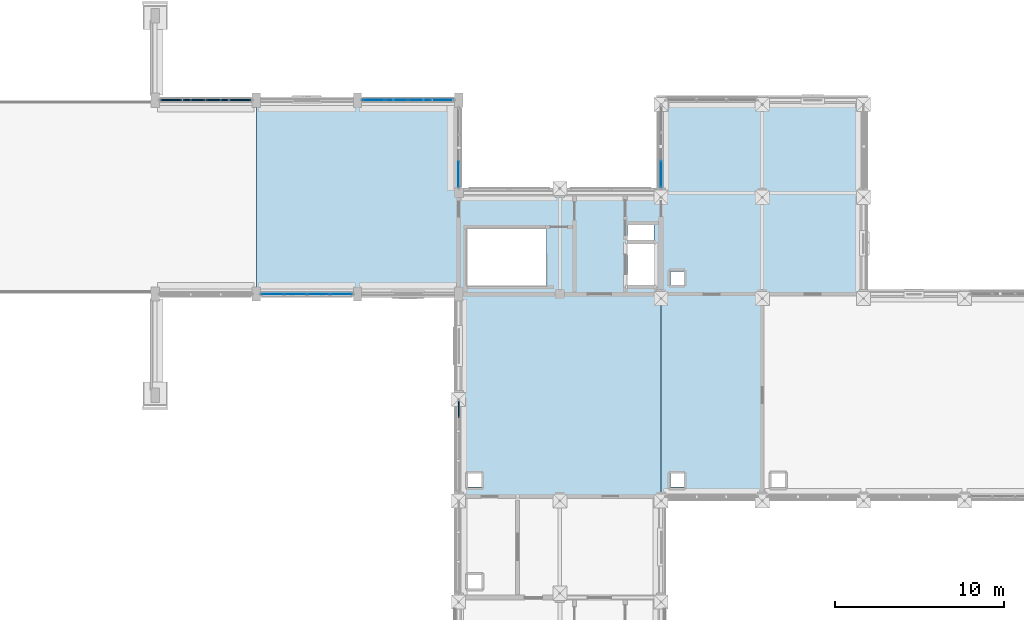
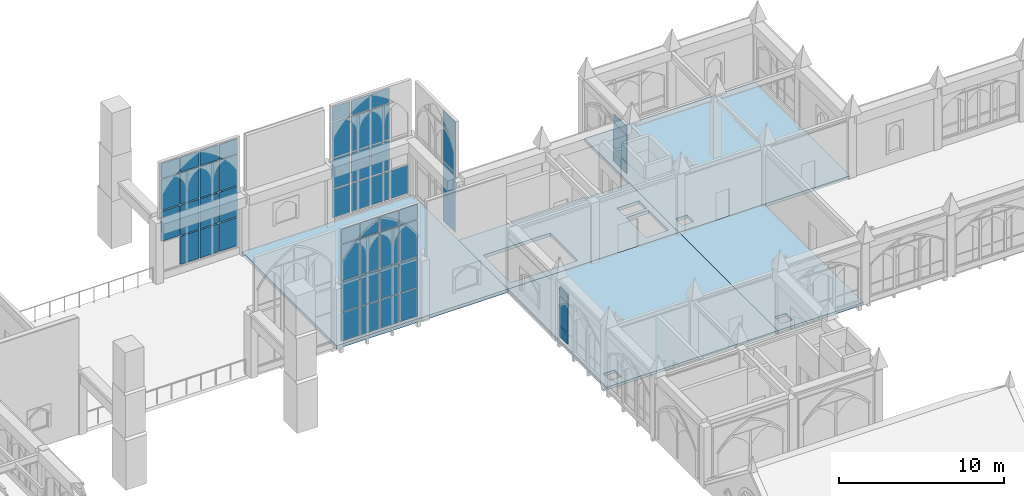
# One storey, part 69 of 108: 54 plates, 5 slabs, 6 elements without a shape of their own.
"""IFC4 building model written with IfcOpenShell, lengths in metres."""

from ifc_helpers import new_model, si_unit, direction, frame, origin, origin_2d, place, context, subcontext, project, spatial, polyline, rectangle, outline, extrude, material, layer, layer_set, type_object, element, aggregate, save


model = new_model("IFC4")

# Units and contexts
model_context = context("Model", 3, precision=1e-05, world=origin(), true_north=direction((0.0, 1.0)))
body_context = subcontext(model_context, "Body", "Model", "MODEL_VIEW")
ifc_project = project(units=[si_unit("LENGTHUNIT", "METRE"), si_unit("AREAUNIT", "SQUARE_METRE"), si_unit("VOLUMEUNIT", "CUBIC_METRE"), si_unit("PLANEANGLEUNIT", "RADIAN"), si_unit("MASSUNIT", "GRAM", prefix="KILO")], contexts=[model_context])

# Site, building, storey
site_placement = place(None, origin())
site = spatial("IfcSite", under=ifc_project, at=site_placement, CompositionType="ELEMENT")
building_placement = place(site_placement, origin())
building = spatial("IfcBuilding", under=site, at=building_placement, Name="Cumevento Cable Car Station", CompositionType="ELEMENT")
storey_placement = place(building_placement, frame((0.0, 0.0, 13.5)))
storey = spatial("IfcBuildingStorey", under=building, at=storey_placement, Name="L04", CompositionType="ELEMENT", Elevation=13.5)

# Slabs
ifc_material_1 = material(Name="Concrete C40/50", Category="concrete")
ifc_layer_1 = layer(ifc_material_1, 0.199951171875)
ifc_layer_set_1 = layer_set([ifc_layer_1], Name="Concrete C40/50")
slab_type_1 = type_object("IfcSlabType", Name="Concrete Deck FS-200 200", PredefinedType="FLOOR", material=ifc_layer_set_1)
slab_1_placement = place(storey_placement, frame((0.0, 0.0, -0.199951171875)))
element("IfcSlab", 1, at=slab_1_placement, inside=storey, type_object=slab_type_1, Name="Floor Slab FS-200 L04 B_V5a.1", PredefinedType="FLOOR", context=body_context, shape_type="SweptSolid", body=[
    extrude(outline(polyline([(118.0, 33.0), (130.0, 33.0), (130.0, 45.0), (118.0, 45.0), (118.0, 33.0)]), holes=[polyline([(118.550048828125, 33.550048828125), (119.35009765625, 33.550048828125), (119.35009765625, 34.35009765625), (118.550048828125, 34.35009765625), (118.550048828125, 33.550048828125)])]), origin(), (0.0, 0.0, 1.0), 0.199951171875),
])
slab_2_placement = place(storey_placement, frame((0.0, 0.0, -0.199951171875)))
element("IfcSlab", 2, at=slab_2_placement, inside=storey, type_object=slab_type_1, Name="Floor Slab FS-200 L04 B_V5a.2", PredefinedType="FLOOR", context=body_context, shape_type="SweptSolid", body=[
    extrude(outline(polyline([(130.0, 33.0), (136.0, 33.0), (136.0, 45.0), (130.0, 45.0), (130.0, 33.0)]), holes=[polyline([(130.550048828125, 33.550048828125), (131.35009765625, 33.550048828125), (131.35009765625, 34.35009765625), (130.550048828125, 34.35009765625), (130.550048828125, 33.550048828125)])]), origin(), (0.0, 0.0, 1.0), 0.199951171875),
])
ifc_material_2 = material(Name="Concrete C40/50", Category="concrete")
ifc_layer_2 = layer(ifc_material_2, 0.22412109375)
ifc_layer_set_2 = layer_set([ifc_layer_2], Name="Concrete C40/50")
slab_type_2 = type_object("IfcSlabType", Name="Concrete Deck FS-224 224", PredefinedType="FLOOR", material=ifc_layer_set_2)
slab_3_placement = place(storey_placement, frame((0.0, 0.0, -0.22412109375)))
element("IfcSlab", 3, at=slab_3_placement, inside=storey, type_object=slab_type_2, Name="Floor Slab FS-224 L04 B_V5c.1", PredefinedType="FLOOR", context=body_context, shape_type="SweptSolid", body=[
    extrude(outline(polyline([(130.0, 45.0), (142.0, 45.0), (142.0, 56.5), (130.0, 56.5), (130.0, 45.0)]), holes=[polyline([(130.550048828125, 45.550048828125), (131.35009765625, 45.550048828125), (131.35009765625, 46.35009765625), (130.550048828125, 46.35009765625), (130.550048828125, 45.550048828125)])]), origin(), (0.0, 0.0, 1.0), 0.22412109375),
])
ifc_material_3 = material(Name="Concrete C40/50", Category="concrete")
ifc_layer_3 = layer(ifc_material_3, 0.236083984375)
ifc_layer_set_3 = layer_set([ifc_layer_3], Name="Concrete C40/50")
slab_type_3 = type_object("IfcSlabType", Name="Concrete Deck FS-236 236", PredefinedType="FLOOR", material=ifc_layer_set_3)
slab_4_placement = place(storey_placement, frame((0.0, 0.0, -0.236083984375)))
element("IfcSlab", 4, at=slab_4_placement, inside=storey, type_object=slab_type_3, Name="Floor Slab FS-236 L04 B_V5c_core.1", PredefinedType="FLOOR", context=body_context, shape_type="SweptSolid", body=[
    extrude(outline(polyline([(118.0, 45.0), (130.0, 45.0), (130.0, 51.0), (118.0, 51.0), (118.0, 45.0)]), holes=[polyline([(128.010009765625, 45.5400390625), (129.580078125, 45.5400390625), (129.580078125, 47.9599609375), (128.010009765625, 47.9599609375), (128.010009765625, 45.5400390625)]), polyline([(118.52001953125, 45.52001953125), (123.199951171875, 45.52001953125), (123.199951171875, 48.85009765625), (118.52001953125, 48.85009765625), (118.52001953125, 45.52001953125)]), polyline([(128.010009765625, 48.199951171875), (129.580078125, 48.199951171875), (129.580078125, 49.10009765625), (128.010009765625, 49.10009765625), (128.010009765625, 48.199951171875)])]), origin(), (0.0, 0.0, 1.0), 0.236083984375),
])
ifc_material_4 = material(Name="Concrete C40/50", Category="concrete")
ifc_layer_4 = layer(ifc_material_4, 0.248046875)
ifc_layer_set_4 = layer_set([ifc_layer_4], Name="Concrete C40/50")
slab_type_4 = type_object("IfcSlabType", Name="Concrete Deck FS-248 248", PredefinedType="FLOOR", material=ifc_layer_set_4)
slab_5_placement = place(storey_placement, frame((0.0, 0.0, -0.248046875)))
element("IfcSlab", 5, at=slab_5_placement, inside=storey, type_object=slab_type_4, Name="Floor Slab FS-248 L04 B_V3b.2", PredefinedType="FLOOR", context=body_context, shape_type="SweptSolid", body=[
    extrude(outline(polyline([(106.0, 45.0), (118.0, 45.0), (118.0, 56.5), (106.0, 56.5), (106.0, 45.0)])), origin(), (0.0, 0.0, 1.0), 0.248046875),
])

# Curtain wall, plates
ifc_material_5 = material(Name="Anodised Bronze Aluminium AW-6063-T6", Category="aluminium")
ifc_layer_5 = layer(ifc_material_5, 0.2080078125)
ifc_layer_set_5 = layer_set([ifc_layer_5], Name="Anodised Bronze Aluminium AW-6063-T6")
curtain_wall_type_1 = type_object("IfcCurtainWallType", Name="Lancet Curtain Wall CW-09 1370", PredefinedType="NOTDEFINED", material=ifc_layer_set_5)
curtain_wall_1_placement = place(storey_placement, origin())
curtain_wall_1 = element("IfcCurtainWall", 6, at=curtain_wall_1_placement, inside=storey, type_object=curtain_wall_type_1, Name="Lancet Curtain Wall CW-09 L04 #168", PredefinedType="NOTDEFINED")
ifc_material_6 = material(Name="Solar Control Laminated Double Glazing", Category="glass")
ifc_layer_6 = layer(ifc_material_6, 0.02197265625)
ifc_layer_set_6 = layer_set([ifc_layer_6], Name="Solar Control Laminated Double Glazing")
plate_type_1 = type_object("IfcPlateType", Name="Glazed Panel CWP-01 22", PredefinedType="CURTAIN_PANEL", material=ifc_layer_set_6)
plate_1_placement = place(storey_placement, frame((111.043701171875, 45.0, 0.235107421875), z_axis=(0.0, 0.0, 1.0), x_axis=(-1.0, 0.0, 0.0)))
plate_1 = element("IfcPlate", 7, at=plate_1_placement, type_object=plate_type_1, Name="CW-09 panel 1.1", PredefinedType="CURTAIN_PANEL", context=body_context, shape_type="SweptSolid", body=[
    extrude(rectangle(XDim=1.262451171875, YDim=0.02197265625, at=origin_2d()), origin(), (0.0, 0.0, 1.0), 2.08740234375),
])
plate_2_placement = place(storey_placement, frame((111.043701171875, 45.0, 2.3974609375), z_axis=(0.0, 0.0, 1.0), x_axis=(-1.0, 0.0, 0.0)))
plate_2 = element("IfcPlate", 8, at=plate_2_placement, type_object=plate_type_1, Name="CW-09 panel 1.2", PredefinedType="CURTAIN_PANEL", context=body_context, shape_type="SweptSolid", body=[
    extrude(rectangle(XDim=1.262451171875, YDim=0.02197265625, at=origin_2d()), origin(), (0.0, 0.0, 1.0), 2.22509765625),
])
plate_3_placement = place(storey_placement, frame((111.043701171875, 45.0, 4.69775390625), z_axis=(0.0, 0.0, 1.0), x_axis=(-1.0, 0.0, 0.0)))
plate_3 = element("IfcPlate", 9, at=plate_3_placement, type_object=plate_type_1, Name="CW-09 panel 1.3", PredefinedType="CURTAIN_PANEL", context=body_context, shape_type="SweptSolid", body=[
    extrude(rectangle(XDim=1.262451171875, YDim=0.02197265625, at=origin_2d()), origin(), (0.0, 0.0, 1.0), 2.657958984375),
])
plate_4_placement = place(storey_placement, frame((111.043701171875, 45.0, 7.4306640625), z_axis=(0.0, 0.0, 1.0), x_axis=(-1.0, 0.0, 0.0)))
plate_4 = element("IfcPlate", 10, at=plate_4_placement, type_object=plate_type_1, Name="CW-09 panel 1.4", PredefinedType="CURTAIN_PANEL", context=body_context, shape_type="SweptSolid", body=[
    extrude(rectangle(XDim=1.262451171875, YDim=0.02197265625, at=origin_2d()), origin(), (0.0, 0.0, 1.0), 1.08740234375),
])
plate_5_placement = place(storey_placement, frame((109.6875, 45.0, 0.235107421875), z_axis=(0.0, 0.0, 1.0), x_axis=(-1.0, 0.0, 0.0)))
plate_5 = element("IfcPlate", 11, at=plate_5_placement, type_object=plate_type_1, Name="CW-09 panel 2.1", PredefinedType="CURTAIN_PANEL", context=body_context, shape_type="SweptSolid", body=[
    extrude(rectangle(XDim=1.300048828125, YDim=0.02197265625, at=origin_2d()), origin(), (0.0, 0.0, 1.0), 2.08740234375),
])
plate_6_placement = place(storey_placement, frame((109.6875, 45.0, 2.3974609375), z_axis=(0.0, 0.0, 1.0), x_axis=(-1.0, 0.0, 0.0)))
plate_6 = element("IfcPlate", 12, at=plate_6_placement, type_object=plate_type_1, Name="CW-09 panel 2.2", PredefinedType="CURTAIN_PANEL", context=body_context, shape_type="SweptSolid", body=[
    extrude(rectangle(XDim=1.300048828125, YDim=0.02197265625, at=origin_2d()), origin(), (0.0, 0.0, 1.0), 2.22509765625),
])
plate_7_placement = place(storey_placement, frame((109.6875, 45.0, 4.69775390625), z_axis=(0.0, 0.0, 1.0), x_axis=(-1.0, 0.0, 0.0)))
plate_7 = element("IfcPlate", 13, at=plate_7_placement, type_object=plate_type_1, Name="CW-09 panel 2.3", PredefinedType="CURTAIN_PANEL", context=body_context, shape_type="SweptSolid", body=[
    extrude(rectangle(XDim=1.300048828125, YDim=0.02197265625, at=origin_2d()), origin(), (0.0, 0.0, 1.0), 2.657958984375),
])
plate_8_placement = place(storey_placement, frame((109.6875, 45.0, 7.4306640625), z_axis=(0.0, 0.0, 1.0), x_axis=(-1.0, 0.0, 0.0)))
plate_8 = element("IfcPlate", 14, at=plate_8_placement, type_object=plate_type_1, Name="CW-09 panel 2.4", PredefinedType="CURTAIN_PANEL", context=body_context, shape_type="SweptSolid", body=[
    extrude(rectangle(XDim=1.300048828125, YDim=0.02197265625, at=origin_2d()), origin(), (0.0, 0.0, 1.0), 1.08740234375),
])
plate_9_placement = place(storey_placement, frame((108.3125, 45.0, 0.235107421875), z_axis=(0.0, 0.0, 1.0), x_axis=(-1.0, 0.0, 0.0)))
plate_9 = element("IfcPlate", 15, at=plate_9_placement, type_object=plate_type_1, Name="CW-09 panel 3.1", PredefinedType="CURTAIN_PANEL", context=body_context, shape_type="SweptSolid", body=[
    extrude(rectangle(XDim=1.300048828125, YDim=0.02197265625, at=origin_2d()), origin(), (0.0, 0.0, 1.0), 2.08740234375),
])
plate_10_placement = place(storey_placement, frame((108.3125, 45.0, 2.3974609375), z_axis=(0.0, 0.0, 1.0), x_axis=(-1.0, 0.0, 0.0)))
plate_10 = element("IfcPlate", 16, at=plate_10_placement, type_object=plate_type_1, Name="CW-09 panel 3.2", PredefinedType="CURTAIN_PANEL", context=body_context, shape_type="SweptSolid", body=[
    extrude(rectangle(XDim=1.300048828125, YDim=0.02197265625, at=origin_2d()), origin(), (0.0, 0.0, 1.0), 2.22509765625),
])
plate_11_placement = place(storey_placement, frame((108.3125, 45.0, 4.69775390625), z_axis=(0.0, 0.0, 1.0), x_axis=(-1.0, 0.0, 0.0)))
plate_11 = element("IfcPlate", 17, at=plate_11_placement, type_object=plate_type_1, Name="CW-09 panel 3.3", PredefinedType="CURTAIN_PANEL", context=body_context, shape_type="SweptSolid", body=[
    extrude(rectangle(XDim=1.300048828125, YDim=0.02197265625, at=origin_2d()), origin(), (0.0, 0.0, 1.0), 2.657958984375),
])
plate_12_placement = place(storey_placement, frame((108.3125, 45.0, 7.4306640625), z_axis=(0.0, 0.0, 1.0), x_axis=(-1.0, 0.0, 0.0)))
plate_12 = element("IfcPlate", 18, at=plate_12_placement, type_object=plate_type_1, Name="CW-09 panel 3.4", PredefinedType="CURTAIN_PANEL", context=body_context, shape_type="SweptSolid", body=[
    extrude(rectangle(XDim=1.300048828125, YDim=0.02197265625, at=origin_2d()), origin(), (0.0, 0.0, 1.0), 1.08740234375),
])
plate_13_placement = place(storey_placement, frame((106.956298828125, 45.0, 0.235107421875), z_axis=(0.0, 0.0, 1.0), x_axis=(-1.0, 0.0, 0.0)))
plate_13 = element("IfcPlate", 19, at=plate_13_placement, type_object=plate_type_1, Name="CW-09 panel 4.1", PredefinedType="CURTAIN_PANEL", context=body_context, shape_type="SweptSolid", body=[
    extrude(rectangle(XDim=1.262451171875, YDim=0.02197265625, at=origin_2d()), origin(), (0.0, 0.0, 1.0), 2.08740234375),
])
plate_14_placement = place(storey_placement, frame((106.956298828125, 45.0, 2.3974609375), z_axis=(0.0, 0.0, 1.0), x_axis=(-1.0, 0.0, 0.0)))
plate_14 = element("IfcPlate", 20, at=plate_14_placement, type_object=plate_type_1, Name="CW-09 panel 4.2", PredefinedType="CURTAIN_PANEL", context=body_context, shape_type="SweptSolid", body=[
    extrude(rectangle(XDim=1.262451171875, YDim=0.02197265625, at=origin_2d()), origin(), (0.0, 0.0, 1.0), 2.22509765625),
])
plate_15_placement = place(storey_placement, frame((106.956298828125, 45.0, 4.69775390625), z_axis=(0.0, 0.0, 1.0), x_axis=(-1.0, 0.0, 0.0)))
plate_15 = element("IfcPlate", 21, at=plate_15_placement, type_object=plate_type_1, Name="CW-09 panel 4.3", PredefinedType="CURTAIN_PANEL", context=body_context, shape_type="SweptSolid", body=[
    extrude(rectangle(XDim=1.262451171875, YDim=0.02197265625, at=origin_2d()), origin(), (0.0, 0.0, 1.0), 2.657958984375),
])
plate_16_placement = place(storey_placement, frame((106.956298828125, 45.0, 7.4306640625), z_axis=(0.0, 0.0, 1.0), x_axis=(-1.0, 0.0, 0.0)))
plate_16 = element("IfcPlate", 22, at=plate_16_placement, type_object=plate_type_1, Name="CW-09 panel 4.4", PredefinedType="CURTAIN_PANEL", context=body_context, shape_type="SweptSolid", body=[
    extrude(rectangle(XDim=1.262451171875, YDim=0.02197265625, at=origin_2d()), origin(), (0.0, 0.0, 1.0), 1.08740234375),
])
aggregate(curtain_wall_1, [plate_1, plate_2, plate_3, plate_4, plate_5, plate_6, plate_7, plate_8, plate_9, plate_10, plate_11, plate_12, plate_13, plate_14, plate_15, plate_16])

ifc_material_7 = material(Name="Anodised Bronze Aluminium AW-6063-T6", Category="aluminium")
ifc_layer_7 = layer(ifc_material_7, 0.214111328125)
ifc_layer_set_7 = layer_set([ifc_layer_7], Name="Anodised Bronze Aluminium AW-6063-T6")
curtain_wall_type_2 = type_object("IfcCurtainWallType", Name="Lancet Curtain Wall CW-10 1410", PredefinedType="NOTDEFINED", material=ifc_layer_set_7)
curtain_wall_2_placement = place(storey_placement, origin())
curtain_wall_2 = element("IfcCurtainWall", 23, at=curtain_wall_2_placement, inside=storey, type_object=curtain_wall_type_2, Name="Lancet Curtain Wall CW-10 L04 #169", PredefinedType="NOTDEFINED")
ifc_material_8 = material(Name="Solar Control Laminated Double Glazing", Category="glass")
ifc_layer_8 = layer(ifc_material_8, 0.02587890625)
ifc_layer_set_8 = layer_set([ifc_layer_8], Name="Solar Control Laminated Double Glazing")
plate_type_2 = type_object("IfcPlateType", Name="Glazed Panel CWP-02 26", PredefinedType="CURTAIN_PANEL", material=ifc_layer_set_8)
plate_17_placement = place(storey_placement, frame((112.956298828125, 56.5, 0.28515625), z_axis=(0.0, 0.0, 1.0), x_axis=(1.0, 0.0, 0.0)))
plate_17 = element("IfcPlate", 24, at=plate_17_placement, type_object=plate_type_2, Name="CW-10 panel 1.1", PredefinedType="CURTAIN_PANEL", context=body_context, shape_type="SweptSolid", body=[
    extrude(rectangle(XDim=1.262451171875, YDim=0.02587890625, at=origin_2d()), origin(), (0.0, 0.0, 1.0), 2.08740234375),
])
plate_18_placement = place(storey_placement, frame((112.956298828125, 56.5, 2.447509765625), z_axis=(0.0, 0.0, 1.0), x_axis=(1.0, 0.0, 0.0)))
plate_18 = element("IfcPlate", 25, at=plate_18_placement, type_object=plate_type_2, Name="CW-10 panel 1.2", PredefinedType="CURTAIN_PANEL", context=body_context, shape_type="SweptSolid", body=[
    extrude(rectangle(XDim=1.262451171875, YDim=0.02587890625, at=origin_2d()), origin(), (0.0, 0.0, 1.0), 2.22509765625),
])
plate_19_placement = place(storey_placement, frame((112.956298828125, 56.5, 4.74755859375), z_axis=(0.0, 0.0, 1.0), x_axis=(1.0, 0.0, 0.0)))
plate_19 = element("IfcPlate", 26, at=plate_19_placement, type_object=plate_type_2, Name="CW-10 panel 1.3", PredefinedType="CURTAIN_PANEL", context=body_context, shape_type="SweptSolid", body=[
    extrude(rectangle(XDim=1.262451171875, YDim=0.02587890625, at=origin_2d()), origin(), (0.0, 0.0, 1.0), 2.60791015625),
])
plate_20_placement = place(storey_placement, frame((112.956298828125, 56.5, 7.4306640625), z_axis=(0.0, 0.0, 1.0), x_axis=(1.0, 0.0, 0.0)))
plate_20 = element("IfcPlate", 27, at=plate_20_placement, type_object=plate_type_2, Name="CW-10 panel 1.4", PredefinedType="CURTAIN_PANEL", context=body_context, shape_type="SweptSolid", body=[
    extrude(rectangle(XDim=1.262451171875, YDim=0.02587890625, at=origin_2d()), origin(), (0.0, 0.0, 1.0), 1.08740234375),
])
plate_21_placement = place(storey_placement, frame((114.3125, 56.5, 0.28515625), z_axis=(0.0, 0.0, 1.0), x_axis=(1.0, 0.0, 0.0)))
plate_21 = element("IfcPlate", 28, at=plate_21_placement, type_object=plate_type_2, Name="CW-10 panel 2.1", PredefinedType="CURTAIN_PANEL", context=body_context, shape_type="SweptSolid", body=[
    extrude(rectangle(XDim=1.300048828125, YDim=0.02587890625, at=origin_2d()), origin(), (0.0, 0.0, 1.0), 2.08740234375),
])
plate_22_placement = place(storey_placement, frame((114.3125, 56.5, 2.447509765625), z_axis=(0.0, 0.0, 1.0), x_axis=(1.0, 0.0, 0.0)))
plate_22 = element("IfcPlate", 29, at=plate_22_placement, type_object=plate_type_2, Name="CW-10 panel 2.2", PredefinedType="CURTAIN_PANEL", context=body_context, shape_type="SweptSolid", body=[
    extrude(rectangle(XDim=1.300048828125, YDim=0.02587890625, at=origin_2d()), origin(), (0.0, 0.0, 1.0), 2.22509765625),
])
plate_23_placement = place(storey_placement, frame((114.3125, 56.5, 4.74755859375), z_axis=(0.0, 0.0, 1.0), x_axis=(1.0, 0.0, 0.0)))
plate_23 = element("IfcPlate", 30, at=plate_23_placement, type_object=plate_type_2, Name="CW-10 panel 2.3", PredefinedType="CURTAIN_PANEL", context=body_context, shape_type="SweptSolid", body=[
    extrude(rectangle(XDim=1.300048828125, YDim=0.02587890625, at=origin_2d()), origin(), (0.0, 0.0, 1.0), 2.60791015625),
])
plate_24_placement = place(storey_placement, frame((114.3125, 56.5, 7.4306640625), z_axis=(0.0, 0.0, 1.0), x_axis=(1.0, 0.0, 0.0)))
plate_24 = element("IfcPlate", 31, at=plate_24_placement, type_object=plate_type_2, Name="CW-10 panel 2.4", PredefinedType="CURTAIN_PANEL", context=body_context, shape_type="SweptSolid", body=[
    extrude(rectangle(XDim=1.300048828125, YDim=0.02587890625, at=origin_2d()), origin(), (0.0, 0.0, 1.0), 1.08740234375),
])
plate_25_placement = place(storey_placement, frame((115.6875, 56.5, 0.28515625), z_axis=(0.0, 0.0, 1.0), x_axis=(1.0, 0.0, 0.0)))
plate_25 = element("IfcPlate", 32, at=plate_25_placement, type_object=plate_type_2, Name="CW-10 panel 3.1", PredefinedType="CURTAIN_PANEL", context=body_context, shape_type="SweptSolid", body=[
    extrude(rectangle(XDim=1.300048828125, YDim=0.02587890625, at=origin_2d()), origin(), (0.0, 0.0, 1.0), 2.08740234375),
])
plate_26_placement = place(storey_placement, frame((115.6875, 56.5, 2.447509765625), z_axis=(0.0, 0.0, 1.0), x_axis=(1.0, 0.0, 0.0)))
plate_26 = element("IfcPlate", 33, at=plate_26_placement, type_object=plate_type_2, Name="CW-10 panel 3.2", PredefinedType="CURTAIN_PANEL", context=body_context, shape_type="SweptSolid", body=[
    extrude(rectangle(XDim=1.300048828125, YDim=0.02587890625, at=origin_2d()), origin(), (0.0, 0.0, 1.0), 2.22509765625),
])
plate_27_placement = place(storey_placement, frame((115.6875, 56.5, 4.74755859375), z_axis=(0.0, 0.0, 1.0), x_axis=(1.0, 0.0, 0.0)))
plate_27 = element("IfcPlate", 34, at=plate_27_placement, type_object=plate_type_2, Name="CW-10 panel 3.3", PredefinedType="CURTAIN_PANEL", context=body_context, shape_type="SweptSolid", body=[
    extrude(rectangle(XDim=1.300048828125, YDim=0.02587890625, at=origin_2d()), origin(), (0.0, 0.0, 1.0), 2.60791015625),
])
plate_28_placement = place(storey_placement, frame((115.6875, 56.5, 7.4306640625), z_axis=(0.0, 0.0, 1.0), x_axis=(1.0, 0.0, 0.0)))
plate_28 = element("IfcPlate", 35, at=plate_28_placement, type_object=plate_type_2, Name="CW-10 panel 3.4", PredefinedType="CURTAIN_PANEL", context=body_context, shape_type="SweptSolid", body=[
    extrude(rectangle(XDim=1.300048828125, YDim=0.02587890625, at=origin_2d()), origin(), (0.0, 0.0, 1.0), 1.08740234375),
])
plate_29_placement = place(storey_placement, frame((117.043701171875, 56.5, 0.28515625), z_axis=(0.0, 0.0, 1.0), x_axis=(1.0, 0.0, 0.0)))
plate_29 = element("IfcPlate", 36, at=plate_29_placement, type_object=plate_type_2, Name="CW-10 panel 4.1", PredefinedType="CURTAIN_PANEL", context=body_context, shape_type="SweptSolid", body=[
    extrude(rectangle(XDim=1.262451171875, YDim=0.02587890625, at=origin_2d()), origin(), (0.0, 0.0, 1.0), 2.08740234375),
])
aggregate(curtain_wall_2, [plate_17, plate_18, plate_19, plate_20, plate_21, plate_22, plate_23, plate_24, plate_25, plate_26, plate_27, plate_28, plate_29])

ifc_material_9 = material(Name="Anodised Bronze Aluminium AW-6063-T6", Category="aluminium")
ifc_layer_9 = layer(ifc_material_9, 0.219970703125)
ifc_layer_set_9 = layer_set([ifc_layer_9], Name="Anodised Bronze Aluminium AW-6063-T6")
curtain_wall_type_3 = type_object("IfcCurtainWallType", Name="Lancet Curtain Wall CW-11 1450", PredefinedType="NOTDEFINED", material=ifc_layer_set_9)
curtain_wall_3_placement = place(storey_placement, origin())
curtain_wall_3 = element("IfcCurtainWall", 37, at=curtain_wall_3_placement, inside=storey, type_object=curtain_wall_type_3, Name="Lancet Curtain Wall CW-11 L04 #170", PredefinedType="NOTDEFINED")
ifc_material_10 = material(Name="Solar Control Laminated Double Glazing", Category="glass")
ifc_layer_10 = layer(ifc_material_10, 0.030029296875)
ifc_layer_set_10 = layer_set([ifc_layer_10], Name="Solar Control Laminated Double Glazing")
plate_type_3 = type_object("IfcPlateType", Name="Glazed Panel CWP-03 30", PredefinedType="CURTAIN_PANEL", material=ifc_layer_set_10)
plate_30_placement = place(storey_placement, frame((118.0, 52.09375, 0.3349609375), z_axis=(0.0, 0.0, 1.0), x_axis=(0.0, -1.0, 0.0)))
plate_30 = element("IfcPlate", 38, at=plate_30_placement, type_object=plate_type_3, Name="CW-11 panel 3.1", PredefinedType="CURTAIN_PANEL", context=body_context, shape_type="SweptSolid", body=[
    extrude(rectangle(XDim=1.487548828125, YDim=0.030029296875, at=origin_2d()), origin(), (0.0, 0.0, 1.0), 2.08740234375),
])
plate_31_placement = place(storey_placement, frame((118.0, 52.09375, 2.49755859375), z_axis=(0.0, 0.0, 1.0), x_axis=(0.0, -1.0, 0.0)))
plate_31 = element("IfcPlate", 39, at=plate_31_placement, type_object=plate_type_3, Name="CW-11 panel 3.2", PredefinedType="CURTAIN_PANEL", context=body_context, shape_type="SweptSolid", body=[
    extrude(rectangle(XDim=1.487548828125, YDim=0.030029296875, at=origin_2d()), origin(), (0.0, 0.0, 1.0), 2.22509765625),
])
plate_32_placement = place(storey_placement, frame((118.0, 52.09375, 4.79736328125), z_axis=(0.0, 0.0, 1.0), x_axis=(0.0, -1.0, 0.0)))
plate_32 = element("IfcPlate", 40, at=plate_32_placement, type_object=plate_type_3, Name="CW-11 panel 3.3", PredefinedType="CURTAIN_PANEL", context=body_context, shape_type="SweptSolid", body=[
    extrude(rectangle(XDim=1.487548828125, YDim=0.030029296875, at=origin_2d()), origin(), (0.0, 0.0, 1.0), 2.55810546875),
])
plate_33_placement = place(storey_placement, frame((118.0, 52.09375, 7.4306640625), z_axis=(0.0, 0.0, 1.0), x_axis=(0.0, -1.0, 0.0)))
plate_33 = element("IfcPlate", 41, at=plate_33_placement, type_object=plate_type_3, Name="CW-11 panel 3.4", PredefinedType="CURTAIN_PANEL", context=body_context, shape_type="SweptSolid", body=[
    extrude(rectangle(XDim=1.487548828125, YDim=0.030029296875, at=origin_2d()), origin(), (0.0, 0.0, 1.0), 1.08740234375),
])
aggregate(curtain_wall_3, [plate_30, plate_31, plate_32, plate_33])

ifc_material_11 = material(Name="Anodised Bronze Aluminium AW-6063-T6", Category="aluminium")
ifc_layer_11 = layer(ifc_material_11, 0.243896484375)
ifc_layer_set_11 = layer_set([ifc_layer_11], Name="Anodised Bronze Aluminium AW-6063-T6")
curtain_wall_type_4 = type_object("IfcCurtainWallType", Name="Lancet Curtain Wall CW-15 1610", PredefinedType="NOTDEFINED", material=ifc_layer_set_11)
curtain_wall_4_placement = place(storey_placement, origin())
curtain_wall_4 = element("IfcCurtainWall", 42, at=curtain_wall_4_placement, inside=storey, type_object=curtain_wall_type_4, Name="Lancet Curtain Wall CW-15 L04 #190", PredefinedType="NOTDEFINED")
ifc_material_12 = material(Name="Insulated Bronze Aluminium Spandrel Panel", Category="aluminium")
ifc_layer_12 = layer(ifc_material_12, 0.054931640625)
ifc_layer_set_12 = layer_set([ifc_layer_12], Name="Insulated Bronze Aluminium Spandrel Panel")
plate_type_4 = type_object("IfcPlateType", Name="Spandrel Panel CWP-09 55", PredefinedType="CURTAIN_PANEL", material=ifc_layer_set_12)
plate_34_placement = place(storey_placement, frame((130.0, 52.1162109375, 0.525146484375), z_axis=(0.0, 0.0, 1.0), x_axis=(0.0, 1.0, 0.0)))
plate_34 = element("IfcPlate", 43, at=plate_34_placement, type_object=plate_type_4, Name="CW-15 panel 1.1", PredefinedType="CURTAIN_PANEL", context=body_context, shape_type="SweptSolid", body=[
    extrude(rectangle(XDim=1.552490234375, YDim=0.054931640625, at=origin_2d()), origin(), (0.0, 0.0, 1.0), 0.75244140625),
])
plate_35_placement = place(storey_placement, frame((130.0, 52.1162109375, 1.342529296875), z_axis=(0.0, 0.0, 1.0), x_axis=(0.0, 1.0, 0.0)))
plate_35 = element("IfcPlate", 44, at=plate_35_placement, type_object=plate_type_4, Name="CW-15 panel 1.2", PredefinedType="CURTAIN_PANEL", context=body_context, shape_type="SweptSolid", body=[
    extrude(rectangle(XDim=1.552490234375, YDim=0.054931640625, at=origin_2d()), origin(), (0.0, 0.0, 1.0), 2.01806640625),
])
plate_36_placement = place(storey_placement, frame((130.0, 52.1162109375, 3.425537109375), z_axis=(0.0, 0.0, 1.0), x_axis=(0.0, 1.0, 0.0)))
plate_36 = element("IfcPlate", 45, at=plate_36_placement, type_object=plate_type_4, Name="CW-15 panel 1.3", PredefinedType="CURTAIN_PANEL", context=body_context, shape_type="SweptSolid", body=[
    extrude(rectangle(XDim=1.552490234375, YDim=0.054931640625, at=origin_2d()), origin(), (0.0, 0.0, 1.0), 0.6025390625),
])
aggregate(curtain_wall_4, [plate_34, plate_35, plate_36])

ifc_material_13 = material(Name="Anodised Bronze Aluminium AW-6063-T6", Category="aluminium")
ifc_layer_13 = layer(ifc_material_13, 0.177978515625)
ifc_layer_set_13 = layer_set([ifc_layer_13], Name="Anodised Bronze Aluminium AW-6063-T6")
curtain_wall_type_5 = type_object("IfcCurtainWallType", Name="Lancet Curtain Wall CW-04 1170", PredefinedType="NOTDEFINED", material=ifc_layer_set_13)
curtain_wall_5_placement = place(storey_placement, origin())
curtain_wall_5 = element("IfcCurtainWall", 46, at=curtain_wall_5_placement, inside=storey, type_object=curtain_wall_type_5, Name="Lancet Curtain Wall CW-04 L04 #179", PredefinedType="NOTDEFINED")
ifc_material_14 = material(Name="Insulated Bronze Aluminium Spandrel Panel", Category="aluminium")
ifc_layer_14 = layer(ifc_material_14, 0.072021484375)
ifc_layer_set_14 = layer_set([ifc_layer_14], Name="Insulated Bronze Aluminium Spandrel Panel")
plate_type_5 = type_object("IfcPlateType", Name="Spandrel Panel CWP-12 72", PredefinedType="CURTAIN_PANEL", material=ifc_layer_set_14)
plate_37_placement = place(storey_placement, frame((118.0, 38.163818359375, 0.375), z_axis=(0.0, 0.0, 1.0), x_axis=(0.0, 1.0, 0.0)))
plate_37 = element("IfcPlate", 47, at=plate_37_placement, type_object=plate_type_5, Name="CW-04 panel 5.1", PredefinedType="CURTAIN_PANEL", context=body_context, shape_type="SweptSolid", body=[
    extrude(rectangle(XDim=0.992431640625, YDim=0.072021484375, at=origin_2d()), origin(), (0.0, 0.0, 1.0), 0.75244140625),
])
plate_38_placement = place(storey_placement, frame((118.0, 38.163818359375, 1.192626953125), z_axis=(0.0, 0.0, 1.0), x_axis=(0.0, 1.0, 0.0)))
plate_38 = element("IfcPlate", 48, at=plate_38_placement, type_object=plate_type_5, Name="CW-04 panel 5.2", PredefinedType="CURTAIN_PANEL", context=body_context, shape_type="SweptSolid", body=[
    extrude(rectangle(XDim=0.992431640625, YDim=0.072021484375, at=origin_2d()), origin(), (0.0, 0.0, 1.0), 2.16796875),
])
plate_39_placement = place(storey_placement, frame((118.0, 38.163818359375, 3.425537109375), z_axis=(0.0, 0.0, 1.0), x_axis=(0.0, 1.0, 0.0)))
plate_39 = element("IfcPlate", 49, at=plate_39_placement, type_object=plate_type_5, Name="CW-04 panel 5.3", PredefinedType="CURTAIN_PANEL", context=body_context, shape_type="SweptSolid", body=[
    extrude(rectangle(XDim=0.992431640625, YDim=0.072021484375, at=origin_2d()), origin(), (0.0, 0.0, 1.0), 0.6025390625),
])
aggregate(curtain_wall_5, [plate_37, plate_38, plate_39])

ifc_material_15 = material(Name="Anodised Bronze Aluminium AW-6063-T6", Category="aluminium")
ifc_layer_15 = layer(ifc_material_15, 0.201904296875)
ifc_layer_set_15 = layer_set([ifc_layer_15], Name="Anodised Bronze Aluminium AW-6063-T6")
curtain_wall_type_6 = type_object("IfcCurtainWallType", Name="Lancet Curtain Wall CW-08 1330", PredefinedType="NOTDEFINED", material=ifc_layer_set_15)
curtain_wall_6_placement = place(storey_placement, origin())
curtain_wall_6 = element("IfcCurtainWall", 50, at=curtain_wall_6_placement, inside=storey, type_object=curtain_wall_type_6, Name="Lancet Curtain Wall CW-08 L04 #167", PredefinedType="NOTDEFINED")
ifc_material_16 = material(Name="Insulated Bronze Aluminium Spandrel Panel", Category="aluminium")
ifc_layer_16 = layer(ifc_material_16, 0.0849609375)
ifc_layer_set_16 = layer_set([ifc_layer_16], Name="Insulated Bronze Aluminium Spandrel Panel")
plate_type_6 = type_object("IfcPlateType", Name="Spandrel Panel CWP-14 85", PredefinedType="CURTAIN_PANEL", material=ifc_layer_set_16)
plate_40_placement = place(storey_placement, frame((100.956298828125, 56.5, 2.757568359375), z_axis=(0.0, 0.0, 1.0), x_axis=(1.0, 0.0, 0.0)))
plate_40 = element("IfcPlate", 51, at=plate_40_placement, type_object=plate_type_6, Name="CW-08 panel 1.2", PredefinedType="CURTAIN_PANEL", context=body_context, shape_type="SweptSolid", body=[
    extrude(rectangle(XDim=1.262451171875, YDim=0.0849609375, at=origin_2d()), origin(), (0.0, 0.0, 1.0), 2.22509765625),
])
plate_41_placement = place(storey_placement, frame((100.956298828125, 56.5, 5.0576171875), z_axis=(0.0, 0.0, 1.0), x_axis=(1.0, 0.0, 0.0)))
plate_41 = element("IfcPlate", 52, at=plate_41_placement, type_object=plate_type_6, Name="CW-08 panel 1.3", PredefinedType="CURTAIN_PANEL", context=body_context, shape_type="SweptSolid", body=[
    extrude(rectangle(XDim=1.262451171875, YDim=0.0849609375, at=origin_2d()), origin(), (0.0, 0.0, 1.0), 2.298095703125),
])
plate_42_placement = place(storey_placement, frame((100.956298828125, 56.5, 7.4306640625), z_axis=(0.0, 0.0, 1.0), x_axis=(1.0, 0.0, 0.0)))
plate_42 = element("IfcPlate", 53, at=plate_42_placement, type_object=plate_type_6, Name="CW-08 panel 1.4", PredefinedType="CURTAIN_PANEL", context=body_context, shape_type="SweptSolid", body=[
    extrude(rectangle(XDim=1.262451171875, YDim=0.0849609375, at=origin_2d()), origin(), (0.0, 0.0, 1.0), 1.08740234375),
])
plate_43_placement = place(storey_placement, frame((102.3125, 56.5, 0.594970703125), z_axis=(0.0, 0.0, 1.0), x_axis=(1.0, 0.0, 0.0)))
plate_43 = element("IfcPlate", 54, at=plate_43_placement, type_object=plate_type_6, Name="CW-08 panel 2.1", PredefinedType="CURTAIN_PANEL", context=body_context, shape_type="SweptSolid", body=[
    extrude(rectangle(XDim=1.300048828125, YDim=0.0849609375, at=origin_2d()), origin(), (0.0, 0.0, 1.0), 2.08740234375),
])
plate_44_placement = place(storey_placement, frame((102.3125, 56.5, 2.757568359375), z_axis=(0.0, 0.0, 1.0), x_axis=(1.0, 0.0, 0.0)))
plate_44 = element("IfcPlate", 55, at=plate_44_placement, type_object=plate_type_6, Name="CW-08 panel 2.2", PredefinedType="CURTAIN_PANEL", context=body_context, shape_type="SweptSolid", body=[
    extrude(rectangle(XDim=1.300048828125, YDim=0.0849609375, at=origin_2d()), origin(), (0.0, 0.0, 1.0), 2.22509765625),
])
plate_45_placement = place(storey_placement, frame((102.3125, 56.5, 5.0576171875), z_axis=(0.0, 0.0, 1.0), x_axis=(1.0, 0.0, 0.0)))
plate_45 = element("IfcPlate", 56, at=plate_45_placement, type_object=plate_type_6, Name="CW-08 panel 2.3", PredefinedType="CURTAIN_PANEL", context=body_context, shape_type="SweptSolid", body=[
    extrude(rectangle(XDim=1.300048828125, YDim=0.0849609375, at=origin_2d()), origin(), (0.0, 0.0, 1.0), 2.298095703125),
])
plate_46_placement = place(storey_placement, frame((102.3125, 56.5, 7.4306640625), z_axis=(0.0, 0.0, 1.0), x_axis=(1.0, 0.0, 0.0)))
plate_46 = element("IfcPlate", 57, at=plate_46_placement, type_object=plate_type_6, Name="CW-08 panel 2.4", PredefinedType="CURTAIN_PANEL", context=body_context, shape_type="SweptSolid", body=[
    extrude(rectangle(XDim=1.300048828125, YDim=0.0849609375, at=origin_2d()), origin(), (0.0, 0.0, 1.0), 1.08740234375),
])
plate_47_placement = place(storey_placement, frame((103.6875, 56.5, 0.594970703125), z_axis=(0.0, 0.0, 1.0), x_axis=(1.0, 0.0, 0.0)))
plate_47 = element("IfcPlate", 58, at=plate_47_placement, type_object=plate_type_6, Name="CW-08 panel 3.1", PredefinedType="CURTAIN_PANEL", context=body_context, shape_type="SweptSolid", body=[
    extrude(rectangle(XDim=1.300048828125, YDim=0.0849609375, at=origin_2d()), origin(), (0.0, 0.0, 1.0), 2.08740234375),
])
plate_48_placement = place(storey_placement, frame((103.6875, 56.5, 2.757568359375), z_axis=(0.0, 0.0, 1.0), x_axis=(1.0, 0.0, 0.0)))
plate_48 = element("IfcPlate", 59, at=plate_48_placement, type_object=plate_type_6, Name="CW-08 panel 3.2", PredefinedType="CURTAIN_PANEL", context=body_context, shape_type="SweptSolid", body=[
    extrude(rectangle(XDim=1.300048828125, YDim=0.0849609375, at=origin_2d()), origin(), (0.0, 0.0, 1.0), 2.22509765625),
])
plate_49_placement = place(storey_placement, frame((103.6875, 56.5, 5.0576171875), z_axis=(0.0, 0.0, 1.0), x_axis=(1.0, 0.0, 0.0)))
plate_49 = element("IfcPlate", 60, at=plate_49_placement, type_object=plate_type_6, Name="CW-08 panel 3.3", PredefinedType="CURTAIN_PANEL", context=body_context, shape_type="SweptSolid", body=[
    extrude(rectangle(XDim=1.300048828125, YDim=0.0849609375, at=origin_2d()), origin(), (0.0, 0.0, 1.0), 2.298095703125),
])
plate_50_placement = place(storey_placement, frame((103.6875, 56.5, 7.4306640625), z_axis=(0.0, 0.0, 1.0), x_axis=(1.0, 0.0, 0.0)))
plate_50 = element("IfcPlate", 61, at=plate_50_placement, type_object=plate_type_6, Name="CW-08 panel 3.4", PredefinedType="CURTAIN_PANEL", context=body_context, shape_type="SweptSolid", body=[
    extrude(rectangle(XDim=1.300048828125, YDim=0.0849609375, at=origin_2d()), origin(), (0.0, 0.0, 1.0), 1.08740234375),
])
plate_51_placement = place(storey_placement, frame((105.043701171875, 56.5, 0.594970703125), z_axis=(0.0, 0.0, 1.0), x_axis=(1.0, 0.0, 0.0)))
plate_51 = element("IfcPlate", 62, at=plate_51_placement, type_object=plate_type_6, Name="CW-08 panel 4.1", PredefinedType="CURTAIN_PANEL", context=body_context, shape_type="SweptSolid", body=[
    extrude(rectangle(XDim=1.262451171875, YDim=0.0849609375, at=origin_2d()), origin(), (0.0, 0.0, 1.0), 2.08740234375),
])
plate_52_placement = place(storey_placement, frame((105.043701171875, 56.5, 2.757568359375), z_axis=(0.0, 0.0, 1.0), x_axis=(1.0, 0.0, 0.0)))
plate_52 = element("IfcPlate", 63, at=plate_52_placement, type_object=plate_type_6, Name="CW-08 panel 4.2", PredefinedType="CURTAIN_PANEL", context=body_context, shape_type="SweptSolid", body=[
    extrude(rectangle(XDim=1.262451171875, YDim=0.0849609375, at=origin_2d()), origin(), (0.0, 0.0, 1.0), 2.22509765625),
])
plate_53_placement = place(storey_placement, frame((105.043701171875, 56.5, 5.0576171875), z_axis=(0.0, 0.0, 1.0), x_axis=(1.0, 0.0, 0.0)))
plate_53 = element("IfcPlate", 64, at=plate_53_placement, type_object=plate_type_6, Name="CW-08 panel 4.3", PredefinedType="CURTAIN_PANEL", context=body_context, shape_type="SweptSolid", body=[
    extrude(rectangle(XDim=1.262451171875, YDim=0.0849609375, at=origin_2d()), origin(), (0.0, 0.0, 1.0), 2.298095703125),
])
plate_54_placement = place(storey_placement, frame((105.043701171875, 56.5, 7.4306640625), z_axis=(0.0, 0.0, 1.0), x_axis=(1.0, 0.0, 0.0)))
plate_54 = element("IfcPlate", 65, at=plate_54_placement, type_object=plate_type_6, Name="CW-08 panel 4.4", PredefinedType="CURTAIN_PANEL", context=body_context, shape_type="SweptSolid", body=[
    extrude(rectangle(XDim=1.262451171875, YDim=0.0849609375, at=origin_2d()), origin(), (0.0, 0.0, 1.0), 1.08740234375),
])
aggregate(curtain_wall_6, [plate_40, plate_41, plate_42, plate_43, plate_44, plate_45, plate_46, plate_47, plate_48, plate_49, plate_50, plate_51, plate_52, plate_53, plate_54])

save(model, "model.ifc")
